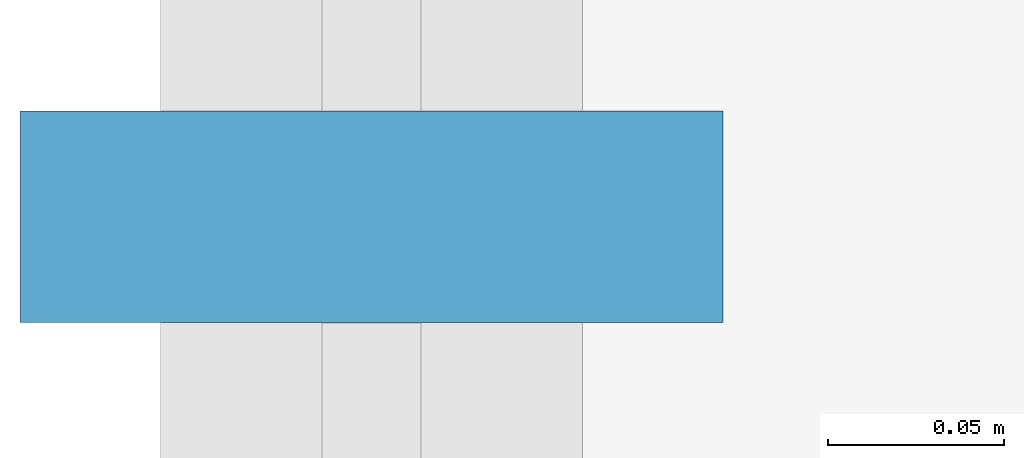
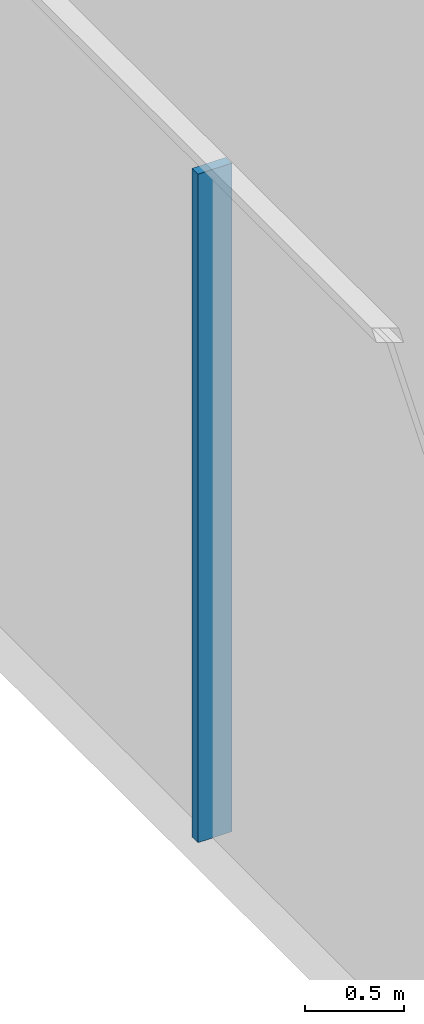
# One storey, part 13 of 43: 1 member, 1 element without a shape of its own.
"""IFC4 building model written with IfcOpenShell, lengths in metres."""

from ifc_helpers import new_model, si_unit, direction, frame, origin, origin_2d, place, context, subcontext, project, spatial, rectangle, extrude, material, layer, layer_set, material_profile, profile_set, type_object, element, aggregate, save


model = new_model("IFC4")

# Units and contexts
model_context = context("Model", 3, precision=1e-05, world=origin(), true_north=direction((0.0, 1.0)))
body_context = subcontext(model_context, "Body", "Model", "MODEL_VIEW")
ifc_project = project(units=[si_unit("LENGTHUNIT", "METRE"), si_unit("AREAUNIT", "SQUARE_METRE"), si_unit("VOLUMEUNIT", "CUBIC_METRE"), si_unit("PLANEANGLEUNIT", "RADIAN"), si_unit("MASSUNIT", "GRAM", prefix="KILO")], contexts=[model_context])

# Site, building, storey
site_placement = place(None, origin())
site = spatial("IfcSite", under=ifc_project, at=site_placement, CompositionType="ELEMENT")
building_placement = place(site_placement, origin())
building = spatial("IfcBuilding", under=site, at=building_placement, Name="Madar Terraces", CompositionType="ELEMENT")
storey_placement = place(building_placement, frame((0.0, 0.0, 10.5)))
storey = spatial("IfcBuildingStorey", under=building, at=storey_placement, Name="L02", CompositionType="ELEMENT", Elevation=10.5)

# Curtain wall, member
ifc_material_1 = material(Name="Glass, clear low-iron, with black aluminium frame", Category="aluminium")
ifc_layer = layer(ifc_material_1, 0.199951171875)
ifc_layer_set = layer_set([ifc_layer], Name="Facade curtain wall, shopfront glazing")
curtain_wall_type = type_object("IfcCurtainWallType", Name="Facade curtain wall, shopfront glazing", PredefinedType="NOTDEFINED", material=ifc_layer_set)
curtain_wall_placement = place(storey_placement, origin())
curtain_wall = element("IfcCurtainWall", 1, at=curtain_wall_placement, inside=storey, type_object=curtain_wall_type, Name="Outer skin curtain wall west bay 1", PredefinedType="NOTDEFINED")
ifc_material_2 = material(Name="Aluminium, black anodised", Category="aluminium")
ifc_material_profile = material_profile(ifc_material_2, rectangle(XDim=0.199951171875, YDim=0.06005859375, at=origin_2d()), Name="Facade mullion 60x200")
ifc_profile_set = profile_set([ifc_material_profile], Name="Aluminium, black anodised")
member_type = type_object("IfcMemberType", Name="Facade mullion 60x200", PredefinedType="MULLION", material=ifc_profile_set)
member_placement = place(storey_placement, frame((-7.199951171875, 28.800048828125, 0.0), z_axis=(0.0, 0.0, 1.0), x_axis=(1.0, 0.0, 0.0)))
member = element("IfcMember", 2, at=member_placement, type_object=member_type, Name="Mullion 5", PredefinedType="MULLION", context=body_context, shape_type="SweptSolid", body=[
    extrude(rectangle(XDim=0.199951171875, YDim=0.06005859375, at=origin_2d()), origin(), (0.0, 0.0, 1.0), 4.139892578125),
])
aggregate(curtain_wall, [member])

save(model, "model.ifc")
